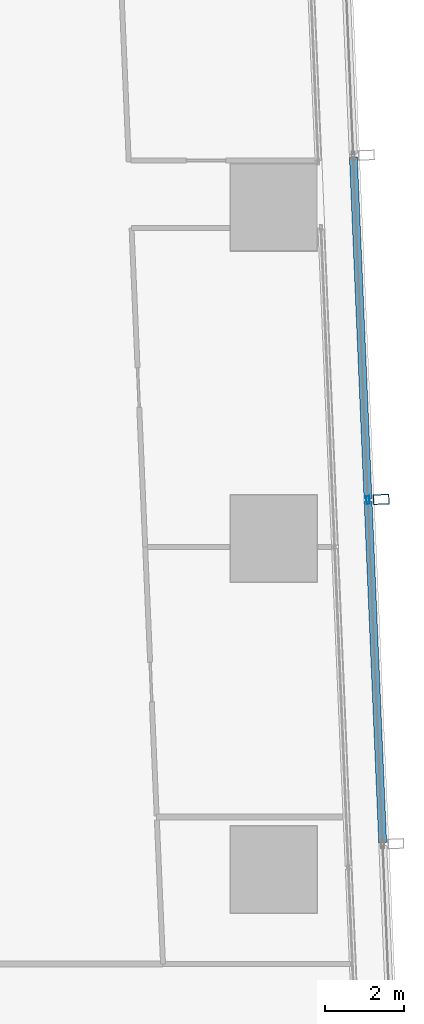
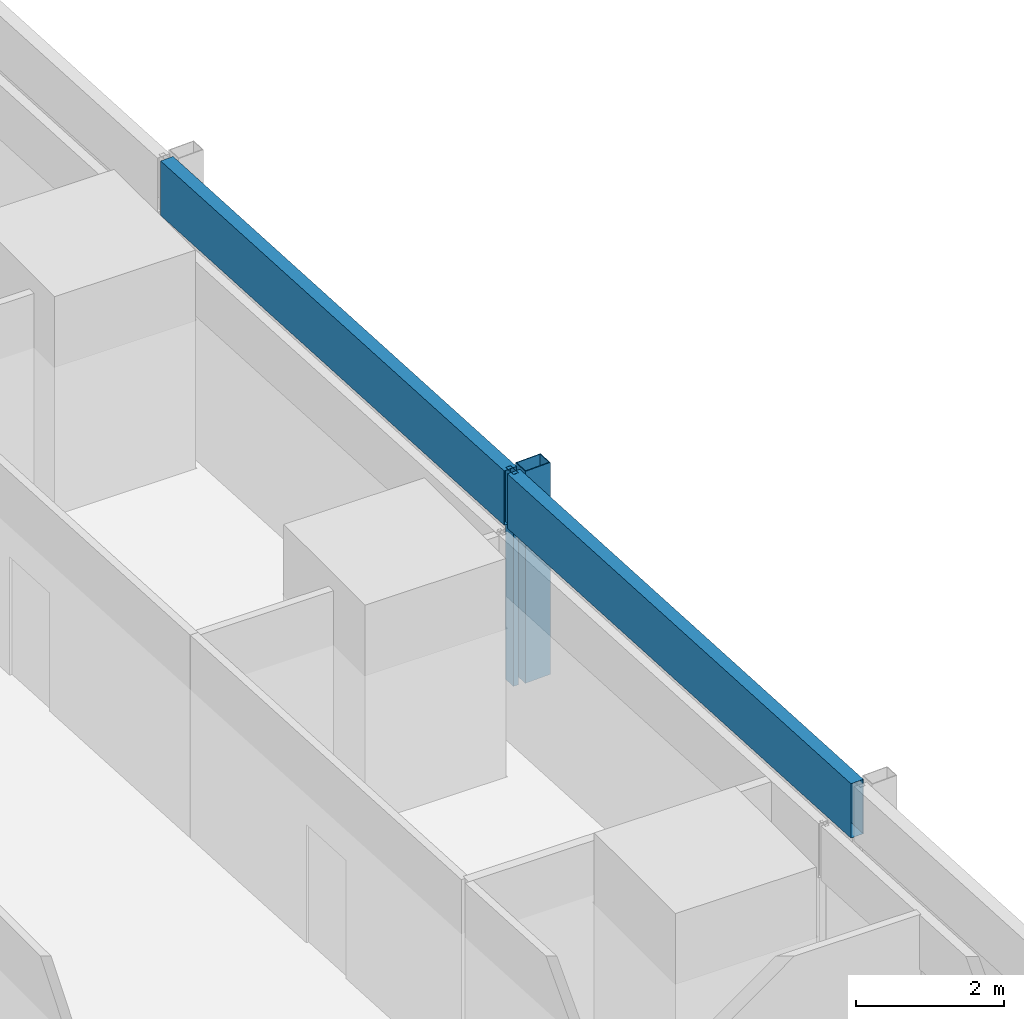
# One storey, part 28 of 44: 4 members, 1 element without a shape of its own.
"""IFC4 building model written with IfcOpenShell, lengths in metres."""

from ifc_helpers import new_model, si_unit, direction, frame, origin, origin_2d, place, context, subcontext, project, spatial, hollow_rectangle, extrude, material, material_profile, profile_set, type_object, element, aggregate, save


model = new_model("IFC4")

# Units and contexts
model_context = context("Model", 3, precision=1e-05, world=origin(), true_north=direction((0.0, 1.0)))
body_context = subcontext(model_context, "Body", "Model", "MODEL_VIEW")
ifc_project = project(units=[si_unit("LENGTHUNIT", "METRE"), si_unit("AREAUNIT", "SQUARE_METRE"), si_unit("VOLUMEUNIT", "CUBIC_METRE"), si_unit("PLANEANGLEUNIT", "RADIAN"), si_unit("MASSUNIT", "GRAM", prefix="KILO")], contexts=[model_context])

# Site, building, storey
site_placement = place(None, origin())
site = spatial("IfcSite", under=ifc_project, at=site_placement, CompositionType="ELEMENT")
building_placement = place(site_placement, origin())
building = spatial("IfcBuilding", under=site, at=building_placement, Name="Rekha Terrace Tower", CompositionType="ELEMENT")
storey_placement = place(building_placement, frame((0.0, 0.0, 47.89990234375)))
storey = spatial("IfcBuildingStorey", under=building, at=storey_placement, Name="L11", CompositionType="ELEMENT", Elevation=47.89990234375)

# Curtain wall, members
ifc_material_1 = material(Name="Aluminium framing", Category="aluminium")
curtain_wall_type = type_object("IfcCurtainWallType", Name="CW2 double skin outer glazing", PredefinedType="USERDEFINED", material=ifc_material_1)
curtain_wall_placement = place(storey_placement, origin())
curtain_wall = element("IfcCurtainWall", 1, at=curtain_wall_placement, inside=storey, type_object=curtain_wall_type, Name="CW2 double skin outer glazing", ObjectType="DOUBLE SKIN OUTER GLAZING", PredefinedType="USERDEFINED")
ifc_material_2 = material(Name="Steel S355 with fluorocarbon finish", Category="steel")
ifc_material_profile_1 = material_profile(ifc_material_2, hollow_rectangle(XDim=0.25, YDim=0.39990234375, WallThickness=0.012451171875, at=origin_2d()), Name="RHS400x250x12.5")
ifc_profile_set_1 = profile_set([ifc_material_profile_1], Name="Steel S355 with fluorocarbon finish")
member_type_1 = type_object("IfcMemberType", Name="BL1 facade blade RHS 400 x 250", PredefinedType="USERDEFINED", material=ifc_profile_set_1)
member_1_placement = place(storey_placement, frame((69.927734375, 42.989013671875, 0.0), z_axis=(0.0, 0.0, 1.0), x_axis=(-0.04269522475, 0.99908814315, 0.0)))
member_1 = element("IfcMember", 2, at=member_1_placement, type_object=member_type_1, Name="Facade blade", ObjectType="FACADE BLADE", PredefinedType="USERDEFINED", context=body_context, shape_type="SweptSolid", body=[
    extrude(hollow_rectangle(XDim=0.25, YDim=0.39990234375, WallThickness=0.012451171875, at=origin_2d()), origin(), (0.0, 0.0, 1.0), 3.5),
])
ifc_material_3 = material(Name="Aluminium mullion section", Category="aluminium")
ifc_material_profile_2 = material_profile(ifc_material_3, hollow_rectangle(XDim=0.080078125, YDim=0.199951171875, WallThickness=0.00390625, at=origin_2d()), Name="AL RHS 80x200")
ifc_profile_set_2 = profile_set([ifc_material_profile_2], Name="Aluminium mullion section")
member_type_2 = type_object("IfcMemberType", Name="CW2 mullion RHS 80 x 200", PredefinedType="MULLION", material=ifc_profile_set_2)
member_2_placement = place(storey_placement, frame((69.593017578125, 42.974609375, 0.0), z_axis=(0.0, 0.0, 1.0), x_axis=(-0.999088106903, -0.042696072956, 0.0)))
member_2 = element("IfcMember", 3, at=member_2_placement, type_object=member_type_2, Name="CW2 mullion 3", PredefinedType="MULLION", context=body_context, shape_type="SweptSolid", body=[
    extrude(hollow_rectangle(XDim=0.080078125, YDim=0.199951171875, WallThickness=0.00390625, at=origin_2d()), origin(), (0.0, 0.0, 1.0), 3.5),
])
ifc_material_4 = material(Name="Insulated aluminium spandrel box", Category="aluminium")
ifc_material_profile_3 = material_profile(ifc_material_4, hollow_rectangle(XDim=0.199951171875, YDim=0.89990234375, WallThickness=0.0029296875, at=origin_2d()), Name="AL SPANDREL BOX 200x900")
ifc_profile_set_3 = profile_set([ifc_material_profile_3], Name="Insulated aluminium spandrel box")
member_type_3 = type_object("IfcMemberType", Name="CW2 spandrel transom 200 x 900", PredefinedType="USERDEFINED", material=ifc_profile_set_3)
member_3_placement = place(storey_placement, frame((69.964599609375, 34.27880859375, 3.050048828125), z_axis=(-0.042692466729, 0.999088261008, 0.0), x_axis=(-0.999088261008, -0.042692466729, 0.0)))
member_3 = element("IfcMember", 4, at=member_3_placement, type_object=member_type_3, Name="CW2 spandrel transom 2", ObjectType="TRANSOM", PredefinedType="USERDEFINED", context=body_context, shape_type="SweptSolid", body=[
    extrude(hollow_rectangle(XDim=0.199951171875, YDim=0.89990234375, WallThickness=0.0029296875, at=origin_2d()), origin(), (0.0, 0.0, 1.0), 8.66357421875),
])
member_4_placement = place(storey_placement, frame((69.59130859375, 43.014404296875, 3.050048828125), z_axis=(-0.042691264793, 0.999088312368, 0.0), x_axis=(-0.999088312368, -0.042691264793, 0.0)))
member_4 = element("IfcMember", 5, at=member_4_placement, type_object=member_type_3, Name="CW2 spandrel transom 3", ObjectType="TRANSOM", PredefinedType="USERDEFINED", context=body_context, shape_type="SweptSolid", body=[
    extrude(hollow_rectangle(XDim=0.199951171875, YDim=0.89990234375, WallThickness=0.0029296875, at=origin_2d()), origin(), (0.0, 0.0, 1.0), 8.663818359375),
])
aggregate(curtain_wall, [member_2, member_3, member_4, member_1])

save(model, "model.ifc")
